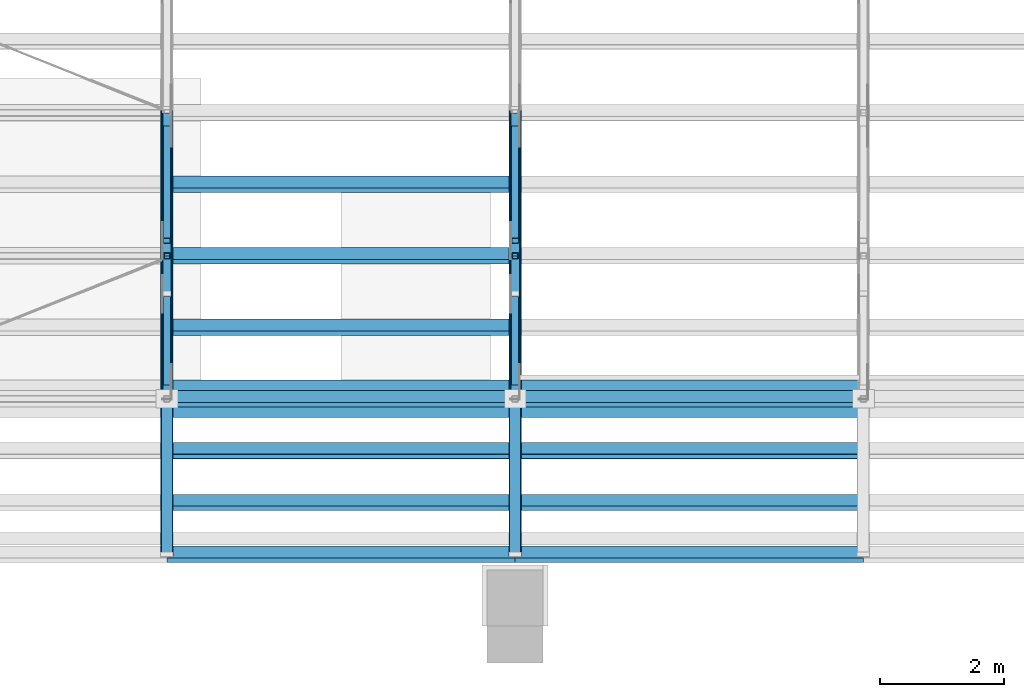
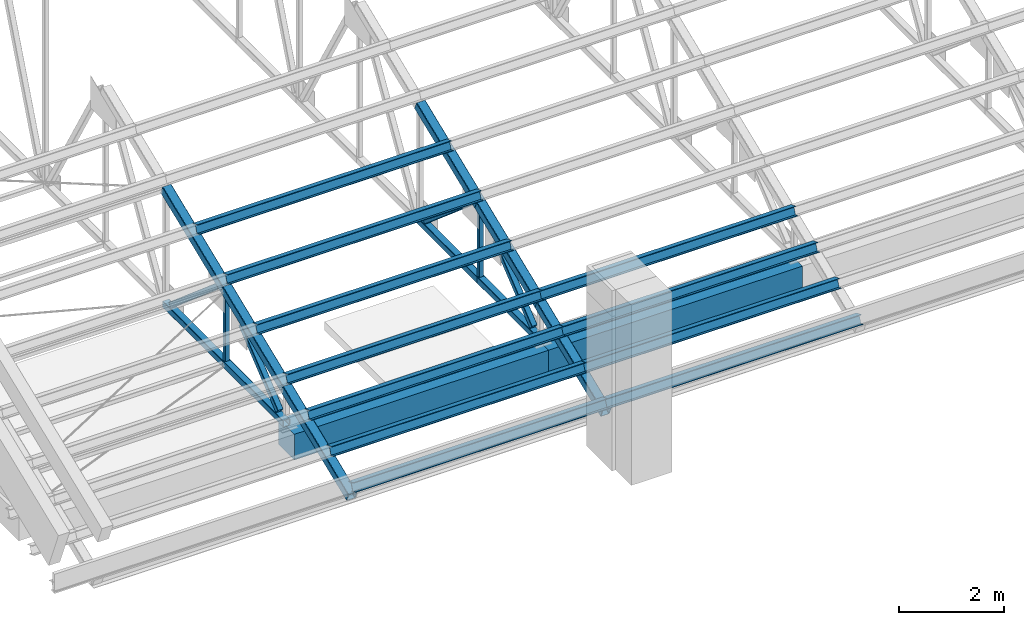
# One storey, part 5 of 71: 27 members, 2 beams.
"""IFC4 building model written with IfcOpenShell, lengths in metres."""

import ifcopenshell
import ifcopenshell.guid

model = None  # the IFC model being written
_history = None  # IfcOwnerHistory: only IFC2X3 demands one
_inside = {}  # id of a spatial element -> (the spatial element, [elements in it])
_under = {}  # id of a project, library or spatial element -> (it, [spatial elements below it])
_declared = {}  # id of a project -> (the project, [libraries it declares])
_typed = {}  # id of a type object -> (the type object, [elements of that type])
_made_of = {}  # id of a material, layer set ... -> (it, [elements and type objects made of it])


def new_model(schema):
    """Start an empty IFC model of exactly this schema.

    Asked for "IFC4X3", IfcOpenShell would pick the latest addendum, in which some entities
    have other attributes; the version numbers below select the first issue.
    IFC2X3 requires an IfcOwnerHistory on every rooted entity: one is made here for all.
    """
    global model, _history
    if schema == "IFC4X3":
        model = ifcopenshell.file(schema_version=(4, 3, 0, 0))
    else:
        model = ifcopenshell.file(schema=schema)
    _inside.clear()
    _under.clear()
    _declared.clear()
    _typed.clear()
    _made_of.clear()
    _history = None
    if model.schema == "IFC2X3":
        org = make("IfcOrganization", Name="unknown")
        user = make(
            "IfcPersonAndOrganization",
            ThePerson=make("IfcPerson", FamilyName="unknown"),
            TheOrganization=org,
        )
        app = make(
            "IfcApplication",
            ApplicationDeveloper=org,
            Version="unknown",
            ApplicationFullName="unknown",
            ApplicationIdentifier="unknown",
        )
        _history = make(
            "IfcOwnerHistory",
            OwningUser=user,
            OwningApplication=app,
            ChangeAction="ADDED",
            CreationDate=0,
        )
    return model


def make(cls, **values):
    """One entity of the class cls with the attributes given. An attribute that is None is left unset."""
    return model.create_entity(
        cls, **{name: value for name, value in values.items() if value is not None}
    )


def rooted(cls, **values):
    """An entity with a GlobalId (a new one), such as an element, a storey or a relation."""
    return make(cls, GlobalId=ifcopenshell.guid.new(), OwnerHistory=_history, **values)


def si_unit(unit_type, name, prefix=None):
    """IfcSIUnit, for example si_unit("LENGTHUNIT", "METRE", prefix="MILLI")."""
    return make("IfcSIUnit", UnitType=unit_type, Prefix=prefix, Name=name)


def assignment(units):
    """IfcUnitAssignment: the units of a project."""
    return None if units is None else make("IfcUnitAssignment", Units=units)


def point(xyz):
    """IfcCartesianPoint."""
    return None if xyz is None else make("IfcCartesianPoint", Coordinates=xyz)


def direction(xyz):
    """IfcDirection."""
    return None if xyz is None else make("IfcDirection", DirectionRatios=xyz)


def frame(location, z_axis=None, x_axis=None):
    """IfcAxis2Placement3D, a coordinate frame: its origin and axes. An axis left out is left unset."""
    return make(
        "IfcAxis2Placement3D",
        Location=point(location),
        Axis=direction(z_axis),
        RefDirection=direction(x_axis),
    )


def frame_2d(location, x_axis=None):
    """IfcAxis2Placement2D, a coordinate frame in the plane: its origin and x axis."""
    return make(
        "IfcAxis2Placement2D", Location=point(location), RefDirection=direction(x_axis)
    )


def origin():
    """The frame at (0, 0, 0) with its axes left unset."""
    return frame((0.0, 0.0, 0.0))


def origin_2d():
    """The frame at (0, 0) in the plane with its x axis left unset."""
    return frame_2d((0.0, 0.0))


def place(relative_to, where):
    """IfcLocalPlacement: puts the frame where relative to a parent placement (None: the world)."""
    return make(
        "IfcLocalPlacement", PlacementRelTo=relative_to, RelativePlacement=where
    )


def context(
    kind, dimensions, precision=None, world=None, true_north=None, identifier=None
):
    """IfcGeometricRepresentationContext, for example the 3D "Model" context."""
    return make(
        "IfcGeometricRepresentationContext",
        ContextIdentifier=identifier,
        ContextType=kind,
        CoordinateSpaceDimension=dimensions,
        Precision=precision,
        WorldCoordinateSystem=world,
        TrueNorth=true_north,
    )


def subcontext(parent, identifier, kind, view, scale=None):
    """IfcGeometricRepresentationSubContext, for example "Body" below "Model"."""
    return make(
        "IfcGeometricRepresentationSubContext",
        ContextIdentifier=identifier,
        ContextType=kind,
        ParentContext=parent,
        TargetScale=scale,
        TargetView=view,
    )


def project(units=None, contexts=None):
    """IfcProject with its units and contexts."""
    return rooted(
        "IfcProject",
        Name="project",
        RepresentationContexts=contexts,
        UnitsInContext=assignment(units),
    )


def spatial(cls, under=None, at=None, **own):
    """A site, building, storey or space (cls), placed at a placement, below another one or the project."""
    s = rooted(cls, ObjectPlacement=at, **own)
    if under is not None:
        _under.setdefault(under.id(), (under, []))[1].append(s)
    return s


def profile(cls, at=None, kind="AREA", **sizes):
    """A parametric profile (cls). Its sizes go by their IFC names, for example OverallWidth=200.0."""
    return make(cls, ProfileType=kind, Position=at, **sizes)


def rectangle(**sizes):
    """IfcRectangleProfileDef."""
    return profile("IfcRectangleProfileDef", **sizes)


def hollow_rectangle(**sizes):
    """IfcRectangleHollowProfileDef."""
    return profile("IfcRectangleHollowProfileDef", **sizes)


def i_section(**sizes):
    """IfcIShapeProfileDef."""
    return profile("IfcIShapeProfileDef", **sizes)


def extrude(swept, where, along, depth):
    """IfcExtrudedAreaSolid: the profile swept, set in the frame where, extruded along a direction by depth."""
    return make(
        "IfcExtrudedAreaSolid",
        SweptArea=swept,
        Position=where,
        ExtrudedDirection=direction(along),
        Depth=depth,
    )


def shape(context_of_items, identifier, shape_type, items):
    """IfcShapeRepresentation: the items that make up one representation, for example the "Body"."""
    return make(
        "IfcShapeRepresentation",
        ContextOfItems=context_of_items,
        RepresentationIdentifier=identifier,
        RepresentationType=shape_type,
        Items=items,
    )


def material(Name=None, Category=None):
    """IfcMaterial."""
    return make("IfcMaterial", Name=Name, Category=Category)


def material_profile(
    of_material, cross_section, Name=None, Category=None, Priority=None
):
    """IfcMaterialProfile: a cross section and its material."""
    return make(
        "IfcMaterialProfile",
        Name=Name,
        Material=of_material,
        Profile=cross_section,
        Priority=Priority,
        Category=Category,
    )


def profile_set(profiles, Name=None, composite=None):
    """IfcMaterialProfileSet."""
    return make(
        "IfcMaterialProfileSet",
        Name=Name,
        MaterialProfiles=profiles,
        CompositeProfile=composite,
    )


def made_of(thing, what):
    """Note that an element or type object is made of a material, layer set ...; save() writes the relation."""
    if what is not None:
        _made_of.setdefault(what.id(), (what, []))[1].append(thing)
    return thing


def type_object(cls, material=None, **own):
    """A type object (cls), such as IfcWallType, which elements share."""
    return made_of(rooted(cls, **own), material)


def element(
    cls,
    number,
    at=None,
    inside=None,
    cuts=None,
    type_object=None,
    material=None,
    context=None,
    identifier="Body",
    shape_type=None,
    held_by="IfcProductDefinitionShape",
    body=None,
    shapes=None,
    **own,
):
    """One element of the class cls, such as IfcWall. Its Tag is "e" and its number.

    at: its placement. inside: the storey or other place that contains it. cuts: it is an
    opening in that element (IfcRelVoidsElement). A single representation is given by context,
    identifier, shape_type and body (its items); several are given by shapes. held_by: the class
    of the entity that holds the representations. save() writes the other relations.
    """
    e = rooted(cls, Tag="e%d" % number, ObjectPlacement=at, **own)
    if body is not None:
        shapes = [shape(context, identifier, shape_type, body)]
    if shapes is not None:
        e.Representation = make(held_by, Representations=shapes)
    if inside is not None:
        _inside.setdefault(inside.id(), (inside, []))[1].append(e)
    if cuts is not None:
        rooted(
            "IfcRelVoidsElement", RelatingBuildingElement=cuts, RelatedOpeningElement=e
        )
    if type_object is not None:
        _typed.setdefault(type_object.id(), (type_object, []))[1].append(e)
    return made_of(e, material)


def aggregate(whole, parts):
    """IfcRelAggregates: a whole, such as a stair, and the parts it consists of."""
    return rooted("IfcRelAggregates", RelatingObject=whole, RelatedObjects=parts)


def save(model, path):
    """Write the relations noted so far, then the file.

    IfcRelAggregates (storeys below a building ...), IfcRelContainedInSpatialStructure (elements
    in a storey), IfcRelDefinesByType, IfcRelAssociatesMaterial and IfcRelDeclares: one each for
    every whole, place, type object, material and project.
    """
    for whole, parts in _under.values():
        aggregate(whole, parts)
    for where, things in _inside.values():
        rooted(
            "IfcRelContainedInSpatialStructure",
            RelatedElements=things,
            RelatingStructure=where,
        )
    for kind, things in _typed.values():
        rooted("IfcRelDefinesByType", RelatedObjects=things, RelatingType=kind)
    for what, things in _made_of.values():
        rooted("IfcRelAssociatesMaterial", RelatedObjects=things, RelatingMaterial=what)
    for by, libraries in _declared.values():
        rooted("IfcRelDeclares", RelatingContext=by, RelatedDefinitions=libraries)
    model.write(path)


model = new_model("IFC4")

# Units and contexts
model_context = context("Model", 3, precision=1e-05, world=origin(), true_north=direction((0.0, 1.0)))
body_context = subcontext(model_context, "Body", "Model", "MODEL_VIEW")
ifc_project = project(units=[si_unit("LENGTHUNIT", "METRE"), si_unit("AREAUNIT", "SQUARE_METRE"), si_unit("VOLUMEUNIT", "CUBIC_METRE"), si_unit("PLANEANGLEUNIT", "RADIAN"), si_unit("MASSUNIT", "GRAM", prefix="KILO")], contexts=[model_context])

# Site, building, storey
site_placement = place(None, origin())
site = spatial("IfcSite", under=ifc_project, at=site_placement, CompositionType="ELEMENT")
building_placement = place(site_placement, origin())
building = spatial("IfcBuilding", under=site, at=building_placement, Name="Wasatch Bagh Community Centre", CompositionType="ELEMENT")
storey_placement = place(building_placement, frame((0.0, 0.0, 12.60009765625)))
storey = spatial("IfcBuildingStorey", under=building, at=storey_placement, Name="L03", CompositionType="ELEMENT", Elevation=12.60009765625)

# Members
ifc_material_1 = material(Name="ASTM A500 Grade C steel", Category="steel")
ifc_material_profile_1 = material_profile(ifc_material_1, hollow_rectangle(XDim=0.1015625, YDim=0.1015625, WallThickness=0.005859375, InnerFilletRadius=0.005859375, OuterFilletRadius=0.01171875, at=origin_2d()), Name="HSS4x4x1/4")
ifc_profile_set_1 = profile_set([ifc_material_profile_1], Name="ASTM A500 Grade C steel")
member_type_1 = type_object("IfcMemberType", Name="SH HSS4x4x1/4 post", PredefinedType="POST", material=ifc_profile_set_1)
for number, where, z_axis, x_axis, name in (
    (1, (117.800048828125, 40.5, 0.76220703125), (0.0, 0.0, 1.0), (1.0, 0.0, 0.0), "SH.SA2.PS02"),
    (2, (123.39990234375, 40.5, 0.76220703125), (0.0, 0.0, 1.0), (1.0, 0.0, 0.0), "SH.SA3.PS02"),
):
    element("IfcMember", number, at=place(storey_placement, frame(where, z_axis=z_axis, x_axis=x_axis)), inside=storey, type_object=member_type_1, Name=name, PredefinedType="POST", context=body_context, shape_type="SweptSolid", body=[
        extrude(hollow_rectangle(XDim=0.1015625, YDim=0.1015625, WallThickness=0.005859375, InnerFilletRadius=0.005859375, OuterFilletRadius=0.01171875, at=origin_2d()), origin(), (0.0, 0.0, 1.0), 1.504638671875),
    ])
ifc_material_profile_2 = material_profile(ifc_material_1, hollow_rectangle(XDim=0.126953125, YDim=0.126953125, WallThickness=0.00732421875, InnerFilletRadius=0.00732421875, OuterFilletRadius=0.0146484375, at=origin_2d()), Name="HSS5x5x5/16")
ifc_profile_set_2 = profile_set([ifc_material_profile_2], Name="ASTM A500 Grade C steel")
member_type_2 = type_object("IfcMemberType", Name="SH HSS5x5x5/16 brace", PredefinedType="BRACE", material=ifc_profile_set_2)
member_1_placement = place(storey_placement, frame((117.800048828125, 38.458740234375, 0.81201171875), z_axis=(0.0, 0.775829568588, 0.630942533441), x_axis=(-1.0, 0.0, 0.0)))
element("IfcMember", 3, at=member_1_placement, inside=storey, type_object=member_type_2, Name="SH.SA2.WB01", PredefinedType="BRACE", context=body_context, shape_type="SweptSolid", body=[
    extrude(hollow_rectangle(XDim=0.126953125, YDim=0.126953125, WallThickness=0.00732421875, InnerFilletRadius=0.00732421875, OuterFilletRadius=0.0146484375, at=origin_2d()), origin(), (0.0, 0.0, 1.0), 1.83837890625),
])
member_2_placement = place(storey_placement, frame((117.800048828125, 42.5498046875, 0.81103515625), z_axis=(0.0, -0.760719100191, 0.649081235751), x_axis=(1.0, 0.0, 0.0)))
element("IfcMember", 4, at=member_2_placement, inside=storey, type_object=member_type_2, Name="SH.SA2.WB02", PredefinedType="BRACE", context=body_context, shape_type="SweptSolid", body=[
    extrude(hollow_rectangle(XDim=0.126953125, YDim=0.126953125, WallThickness=0.00732421875, InnerFilletRadius=0.00732421875, OuterFilletRadius=0.0146484375, at=origin_2d()), origin(), (0.0, 0.0, 1.0), 2.377197265625),
])
member_3_placement = place(storey_placement, frame((123.39990234375, 38.458740234375, 0.81201171875), z_axis=(0.0, 0.775829568588, 0.630942533441), x_axis=(-1.0, 0.0, 0.0)))
element("IfcMember", 5, at=member_3_placement, inside=storey, type_object=member_type_2, Name="SH.SA3.WB01", PredefinedType="BRACE", context=body_context, shape_type="SweptSolid", body=[
    extrude(hollow_rectangle(XDim=0.126953125, YDim=0.126953125, WallThickness=0.00732421875, InnerFilletRadius=0.00732421875, OuterFilletRadius=0.0146484375, at=origin_2d()), origin(), (0.0, 0.0, 1.0), 1.83837890625),
])
member_4_placement = place(storey_placement, frame((123.39990234375, 42.5498046875, 0.81103515625), z_axis=(0.0, -0.760719100191, 0.649081235751), x_axis=(1.0, 0.0, 0.0)))
element("IfcMember", 6, at=member_4_placement, inside=storey, type_object=member_type_2, Name="SH.SA3.WB02", PredefinedType="BRACE", context=body_context, shape_type="SweptSolid", body=[
    extrude(hollow_rectangle(XDim=0.126953125, YDim=0.126953125, WallThickness=0.00732421875, InnerFilletRadius=0.00732421875, OuterFilletRadius=0.0146484375, at=origin_2d()), origin(), (0.0, 0.0, 1.0), 2.377197265625),
])
ifc_material_profile_3 = material_profile(ifc_material_1, hollow_rectangle(XDim=0.15234375, YDim=0.15234375, WallThickness=0.0087890625, InnerFilletRadius=0.0087890625, OuterFilletRadius=0.017822265625, at=origin_2d()), Name="HSS6x6x3/8")
ifc_profile_set_3 = profile_set([ifc_material_profile_3], Name="ASTM A500 Grade C steel")
member_type_3 = type_object("IfcMemberType", Name="SH HSS6x6x3/8 chord", PredefinedType="CHORD", material=ifc_profile_set_3)
for number, where, z_axis, x_axis, name in (
    (7, (117.800048828125, 38.199951171875, 0.68603515625), (0.0, 1.0, 0.0), (-1.0, 0.0, 0.0), "SH.SA2.BC01"),
    (8, (117.800048828125, 40.5, 0.68603515625), (0.0, 1.0, 0.0), (-1.0, 0.0, 0.0), "SH.SA2.BC02"),
    (9, (123.39990234375, 38.199951171875, 0.68603515625), (0.0, 1.0, 0.0), (-1.0, 0.0, 0.0), "SH.SA3.BC01"),
    (10, (123.39990234375, 40.5, 0.68603515625), (0.0, 1.0, 0.0), (-1.0, 0.0, 0.0), "SH.SA3.BC02"),
):
    element("IfcMember", number, at=place(storey_placement, frame(where, z_axis=z_axis, x_axis=x_axis)), inside=storey, type_object=member_type_3, Name=name, PredefinedType="CHORD", context=body_context, shape_type="SweptSolid", body=[
        extrude(hollow_rectangle(XDim=0.15234375, YDim=0.15234375, WallThickness=0.0087890625, InnerFilletRadius=0.0087890625, OuterFilletRadius=0.017822265625, at=origin_2d()), origin(), (0.0, 0.0, 1.0), 2.300048828125),
    ])
ifc_material_profile_4 = material_profile(ifc_material_1, hollow_rectangle(XDim=0.203125, YDim=0.203125, WallThickness=0.01171875, InnerFilletRadius=0.01171875, OuterFilletRadius=0.023681640625, at=origin_2d()), Name="HSS8x8x1/2")
ifc_profile_set_4 = profile_set([ifc_material_profile_4], Name="ASTM A500 Grade C steel")
member_type_4 = type_object("IfcMemberType", Name="SH HSS8x8x1/2 chord", PredefinedType="CHORD", material=ifc_profile_set_4)
member_5_placement = place(storey_placement, frame((117.800048828125, 35.699951171875, 0.490234375), z_axis=(0.0, 0.927165625561, 0.374651708629), x_axis=(-1.0, 0.0, 0.0)))
element("IfcMember", 11, at=member_5_placement, inside=storey, type_object=member_type_4, Name="SH.SA2.TC01", PredefinedType="CHORD", context=body_context, shape_type="SweptSolid", body=[
    extrude(hollow_rectangle(XDim=0.203125, YDim=0.203125, WallThickness=0.01171875, InnerFilletRadius=0.01171875, OuterFilletRadius=0.023681640625, at=origin_2d()), origin(), (0.0, 0.0, 1.0), 2.69580078125),
])
for number, where, z_axis, x_axis, name in (
    (12, (117.800048828125, 38.200439453125, 1.50048828125), (0.0, 0.927174106992, 0.374630718605), (-1.0, 0.0, 0.0), "SH.SA2.TC02"),
    (13, (117.800048828125, 40.50048828125, 2.4296875), (0.0, 0.927174106992, 0.374630718605), (-1.0, 0.0, 0.0), "SH.SA2.TC03"),
):
    element("IfcMember", number, at=place(storey_placement, frame(where, z_axis=z_axis, x_axis=x_axis)), inside=storey, type_object=member_type_4, Name=name, PredefinedType="CHORD", context=body_context, shape_type="SweptSolid", body=[
        extrude(hollow_rectangle(XDim=0.203125, YDim=0.203125, WallThickness=0.01171875, InnerFilletRadius=0.01171875, OuterFilletRadius=0.023681640625, at=origin_2d()), origin(), (0.0, 0.0, 1.0), 2.479736328125),
    ])
member_6_placement = place(storey_placement, frame((123.39990234375, 35.699951171875, 0.490234375), z_axis=(0.0, 0.927165625561, 0.374651708629), x_axis=(-1.0, 0.0, 0.0)))
element("IfcMember", 14, at=member_6_placement, inside=storey, type_object=member_type_4, Name="SH.SA3.TC01", PredefinedType="CHORD", context=body_context, shape_type="SweptSolid", body=[
    extrude(hollow_rectangle(XDim=0.203125, YDim=0.203125, WallThickness=0.01171875, InnerFilletRadius=0.01171875, OuterFilletRadius=0.023681640625, at=origin_2d()), origin(), (0.0, 0.0, 1.0), 2.69580078125),
])
for number, where, z_axis, x_axis, name in (
    (15, (123.39990234375, 38.200439453125, 1.50048828125), (0.0, 0.927174106992, 0.374630718605), (-1.0, 0.0, 0.0), "SH.SA3.TC02"),
    (16, (123.39990234375, 40.50048828125, 2.4296875), (0.0, 0.927174106992, 0.374630718605), (-1.0, 0.0, 0.0), "SH.SA3.TC03"),
):
    element("IfcMember", number, at=place(storey_placement, frame(where, z_axis=z_axis, x_axis=x_axis)), inside=storey, type_object=member_type_4, Name=name, PredefinedType="CHORD", context=body_context, shape_type="SweptSolid", body=[
        extrude(hollow_rectangle(XDim=0.203125, YDim=0.203125, WallThickness=0.01171875, InnerFilletRadius=0.01171875, OuterFilletRadius=0.023681640625, at=origin_2d()), origin(), (0.0, 0.0, 1.0), 2.479736328125),
    ])

# Beams
ifc_material_2 = material(Name="Concrete C40", Category="concrete")
ifc_material_profile_5 = material_profile(ifc_material_2, rectangle(XDim=0.60009765625, YDim=0.60009765625, at=origin_2d()), Name="RC 600x600")
ifc_profile_set_5 = profile_set([ifc_material_profile_5], Name="Concrete C40")
beam_type = type_object("IfcBeamType", Name="SH RC 600x600 beam", PredefinedType="BEAM", material=ifc_profile_set_5)
beam_1_placement = place(storey_placement, frame((117.800048828125, 38.199951171875, 0.2998046875), z_axis=(1.0, 0.0, 0.0), x_axis=(0.0, 1.0, 0.0)))
element("IfcBeam", 17, at=beam_1_placement, inside=storey, type_object=beam_type, Name="SH.beam.L03.ring02", PredefinedType="BEAM", context=body_context, shape_type="SweptSolid", body=[
    extrude(rectangle(XDim=0.60009765625, YDim=0.60009765625, at=origin_2d()), origin(), (0.0, 0.0, 1.0), 5.599853515625),
])
beam_2_placement = place(storey_placement, frame((123.39990234375, 38.199951171875, 0.2998046875), z_axis=(1.0, 0.0, 0.0), x_axis=(0.0, 1.0, 0.0)))
element("IfcBeam", 18, at=beam_2_placement, inside=storey, type_object=beam_type, Name="SH.beam.L03.ring03", PredefinedType="BEAM", context=body_context, shape_type="SweptSolid", body=[
    extrude(rectangle(XDim=0.60009765625, YDim=0.60009765625, at=origin_2d()), origin(), (0.0, 0.0, 1.0), 5.60009765625),
])

# Members
ifc_material_3 = material(Name="ASTM A992 Grade 50 steel", Category="steel")
ifc_material_profile_6 = material_profile(ifc_material_3, i_section(OverallWidth=0.203125, OverallDepth=0.203125, WebThickness=0.00732421875, FlangeThickness=0.010986328125, at=origin_2d()), Name="W8x31")
ifc_profile_set_6 = profile_set([ifc_material_profile_6], Name="ASTM A992 Grade 50 steel")
member_type_5 = type_object("IfcMemberType", Name="SH W8x31 purlin", PredefinedType="PURLIN", material=ifc_profile_set_6)
for number, where, z_axis, x_axis, name in (
    (19, (117.800048828125, 35.699951171875, 0.70947265625), (1.0, 0.0, 0.0), (0.0, 0.927183854567, -0.374606593416), "SH.PUR.b2.PU01"),
    (20, (117.800048828125, 36.533447265625, 1.046142578125), (1.0, 0.0, 0.0), (0.0, 0.927183854567, -0.374606593416), "SH.PUR.b2.PU02"),
    (21, (117.800048828125, 37.36669921875, 1.3828125), (1.0, 0.0, 0.0), (0.0, 0.927183854567, -0.374606593416), "SH.PUR.b2.PU03"),
    (22, (117.800048828125, 38.199951171875, 1.719482421875), (1.0, 0.0, 0.0), (0.0, 0.927183854567, -0.374606593416), "SH.PUR.b2.PU04"),
    (23, (117.800048828125, 39.35009765625, 2.18408203125), (1.0, 0.0, 0.0), (0.0, 0.927183854567, -0.374606593416), "SH.PUR.b2.PU05"),
    (24, (117.800048828125, 40.5, 2.648681640625), (1.0, 0.0, 0.0), (0.0, 0.927183854567, -0.374606593416), "SH.PUR.b2.PU06"),
    (25, (117.800048828125, 41.64990234375, 3.11328125), (1.0, 0.0, 0.0), (0.0, 0.927183854567, -0.374606593416), "SH.PUR.b2.PU07"),
):
    element("IfcMember", number, at=place(storey_placement, frame(where, z_axis=z_axis, x_axis=x_axis)), inside=storey, type_object=member_type_5, Name=name, PredefinedType="PURLIN", context=body_context, shape_type="SweptSolid", body=[
        extrude(i_section(OverallWidth=0.203125, OverallDepth=0.203125, WebThickness=0.00732421875, FlangeThickness=0.010986328125, at=origin_2d()), origin(), (0.0, 0.0, 1.0), 5.599853515625),
    ])
for number, where, z_axis, x_axis, name in (
    (26, (123.39990234375, 35.699951171875, 0.70947265625), (1.0, 0.0, 0.0), (0.0, 0.927183854567, -0.374606593416), "SH.PUR.b3.PU01"),
    (27, (123.39990234375, 36.533447265625, 1.046142578125), (1.0, 0.0, 0.0), (0.0, 0.927183854567, -0.374606593416), "SH.PUR.b3.PU02"),
    (28, (123.39990234375, 37.36669921875, 1.3828125), (1.0, 0.0, 0.0), (0.0, 0.927183854567, -0.374606593416), "SH.PUR.b3.PU03"),
    (29, (123.39990234375, 38.199951171875, 1.719482421875), (1.0, 0.0, 0.0), (0.0, 0.927183854567, -0.374606593416), "SH.PUR.b3.PU04"),
):
    element("IfcMember", number, at=place(storey_placement, frame(where, z_axis=z_axis, x_axis=x_axis)), inside=storey, type_object=member_type_5, Name=name, PredefinedType="PURLIN", context=body_context, shape_type="SweptSolid", body=[
        extrude(i_section(OverallWidth=0.203125, OverallDepth=0.203125, WebThickness=0.00732421875, FlangeThickness=0.010986328125, at=origin_2d()), origin(), (0.0, 0.0, 1.0), 5.60009765625),
    ])

save(model, "model.ifc")
